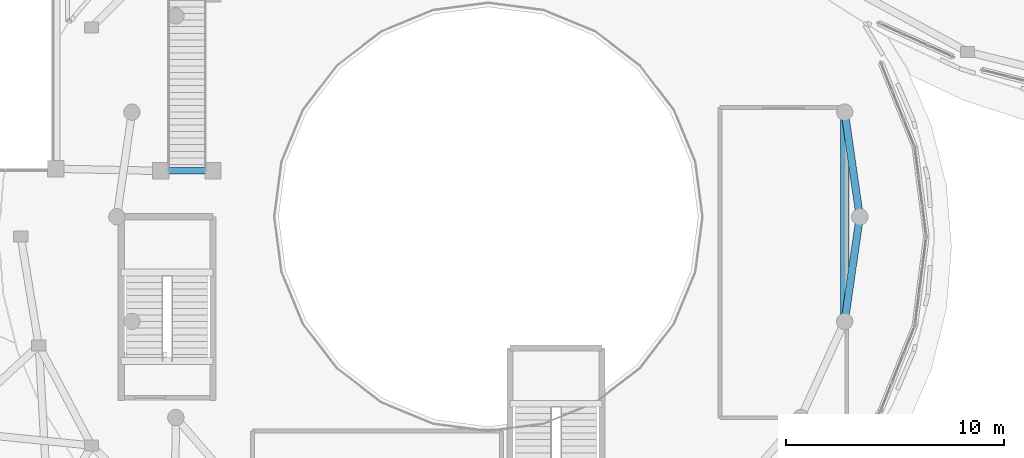
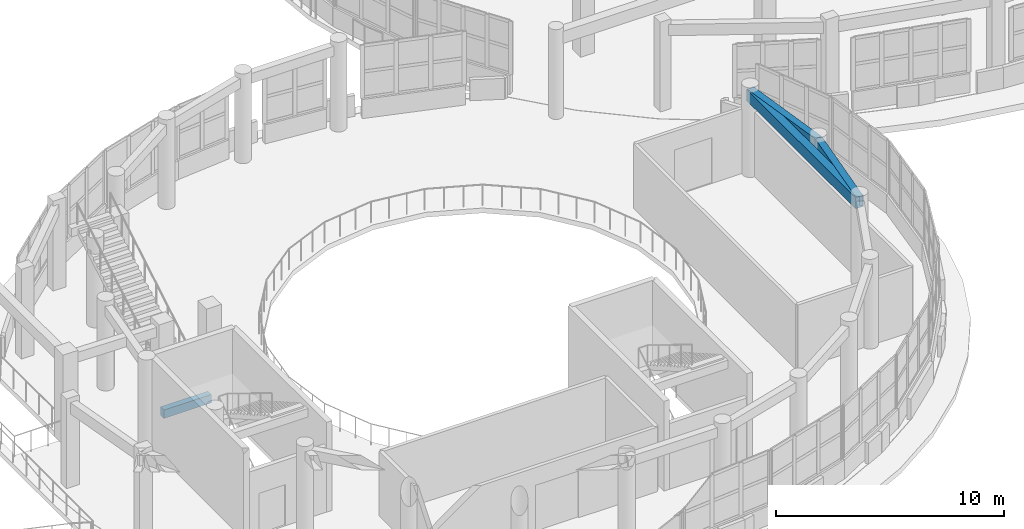
# One storey, part 25 of 98: 4 beams.
"""IFC4 building model written with IfcOpenShell, lengths in metres."""

from ifc_helpers import new_model, si_unit, direction, frame, origin, origin_2d, place, context, subcontext, project, spatial, rectangle, extrude, material, material_profile, profile_set, type_object, element, save


model = new_model("IFC4")

# Units and contexts
model_context = context("Model", 3, precision=1e-05, world=origin(), true_north=direction((0.0, 1.0)))
body_context = subcontext(model_context, "Body", "Model", "MODEL_VIEW")
ifc_project = project(units=[si_unit("LENGTHUNIT", "METRE"), si_unit("AREAUNIT", "SQUARE_METRE"), si_unit("VOLUMEUNIT", "CUBIC_METRE"), si_unit("PLANEANGLEUNIT", "RADIAN"), si_unit("MASSUNIT", "GRAM", prefix="KILO")], contexts=[model_context])

# Site, building, storey
site_placement = place(None, origin())
site = spatial("IfcSite", under=ifc_project, at=site_placement, CompositionType="ELEMENT")
building_placement = place(site_placement, origin())
building = spatial("IfcBuilding", under=site, at=building_placement, Name="Pelvatis Terrace Science Centre", CompositionType="ELEMENT")
storey_placement = place(building_placement, frame((0.0, 0.0, 5.39990234375)))
storey = spatial("IfcBuildingStorey", under=building, at=storey_placement, Name="L01", CompositionType="ELEMENT", Elevation=5.39990234375)

# Beams
ifc_material_1 = material(Name="Concrete C35/45", Category="concrete")
ifc_material_profile_1 = material_profile(ifc_material_1, rectangle(XDim=0.300048828125, YDim=0.449951171875, at=origin_2d()), Name="RC-BM 300x450")
ifc_profile_set_1 = profile_set([ifc_material_profile_1], Name="Concrete C35/45")
beam_type_1 = type_object("IfcBeamType", Name="BM-RC-300x450", PredefinedType="BEAM", material=ifc_profile_set_1)
beam_1_placement = place(storey_placement, frame((63.0, 56.699951171875, -0.25), z_axis=(1.0, 0.0, 0.0), x_axis=(0.0, 1.0, 0.0)))
element("IfcBeam", 1, at=beam_1_placement, inside=storey, type_object=beam_type_1, Name="Monumental stair landing beam 3", PredefinedType="BEAM", context=body_context, shape_type="SweptSolid", body=[
    extrude(rectangle(XDim=0.300048828125, YDim=0.449951171875, at=origin_2d()), origin(), (0.0, 0.0, 1.0), 2.39990234375),
])
ifc_material_2 = material(Name="Concrete C35/45", Category="concrete")
ifc_material_profile_2 = material_profile(ifc_material_2, rectangle(XDim=0.340087890625, YDim=0.52001953125, at=origin_2d()), Name="RC-BM 340x520")
ifc_profile_set_2 = profile_set([ifc_material_profile_2], Name="Concrete C35/45")
beam_type_2 = type_object("IfcBeamType", Name="BM-RC-340x520", PredefinedType="BEAM", material=ifc_profile_set_2)
beam_2_placement = place(storey_placement, frame((95.0, 54.60009765625, 4.280029296875), z_axis=(-0.142339615489, 0.989817879139, 0.0), x_axis=(-0.989817879139, -0.142339615489, 0.0)))
element("IfcBeam", 2, at=beam_2_placement, inside=storey, type_object=beam_type_2, Name="Beam BM-L01-2568", PredefinedType="BEAM", context=body_context, shape_type="SweptSolid", body=[
    extrude(rectangle(XDim=0.340087890625, YDim=0.52001953125, at=origin_2d()), origin(), (0.0, 0.0, 1.0), 4.838623046875),
])
beam_3_placement = place(storey_placement, frame((95.0, 54.60009765625, 4.280029296875), z_axis=(-0.142332506918, -0.989818901352, 0.0), x_axis=(0.989818901352, -0.142332506918, 0.0)))
element("IfcBeam", 3, at=beam_3_placement, inside=storey, type_object=beam_type_2, Name="Beam BM-L01-2569", PredefinedType="BEAM", context=body_context, shape_type="SweptSolid", body=[
    extrude(rectangle(XDim=0.340087890625, YDim=0.52001953125, at=origin_2d()), origin(), (0.0, 0.0, 1.0), 4.8388671875),
])
ifc_material_3 = material(Name="Concrete C35/45", Category="concrete")
ifc_material_profile_3 = material_profile(ifc_material_3, rectangle(XDim=0.39990234375, YDim=0.60009765625, at=origin_2d()), Name="RC-BM 400x600")
ifc_profile_set_3 = profile_set([ifc_material_profile_3], Name="Concrete C35/45")
beam_type_3 = type_object("IfcBeamType", Name="BM-RC-400x600", PredefinedType="BEAM", material=ifc_profile_set_3)
beam_4_placement = place(storey_placement, frame((94.311279296875, 59.389404296875, 4.239990234375), z_axis=(0.0, -1.0, 0.0), x_axis=(1.0, 0.0, 0.0)))
element("IfcBeam", 4, at=beam_4_placement, inside=storey, type_object=beam_type_3, Name="Beam BM-L01-2570", PredefinedType="BEAM", context=body_context, shape_type="SweptSolid", body=[
    extrude(rectangle(XDim=0.39990234375, YDim=0.60009765625, at=origin_2d()), origin(), (0.0, 0.0, 1.0), 9.578857421875),
])

save(model, "model.ifc")
